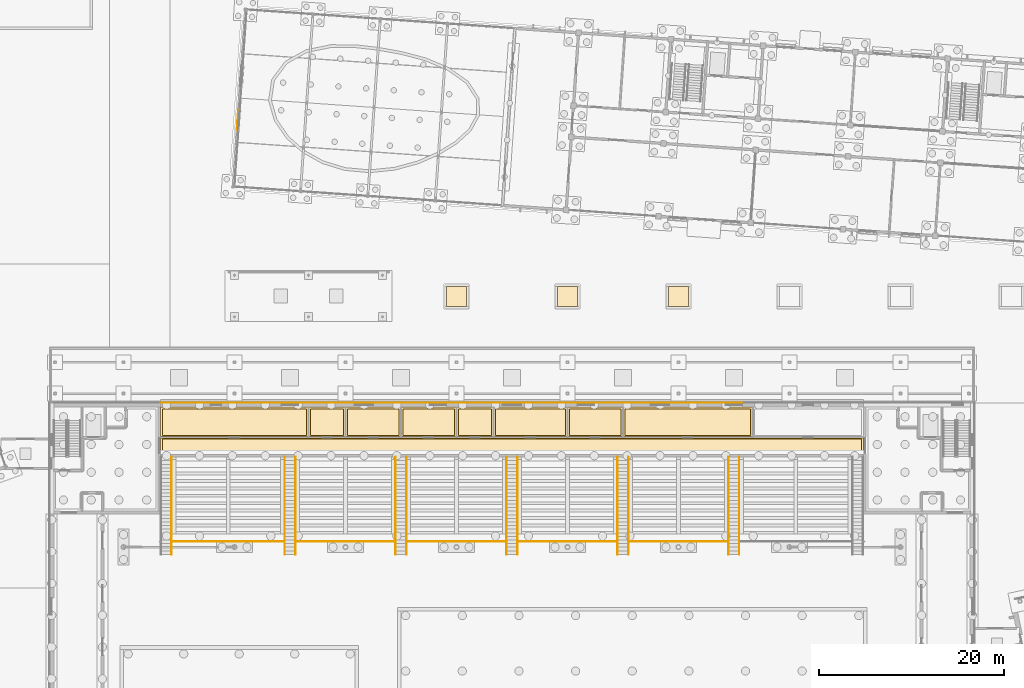
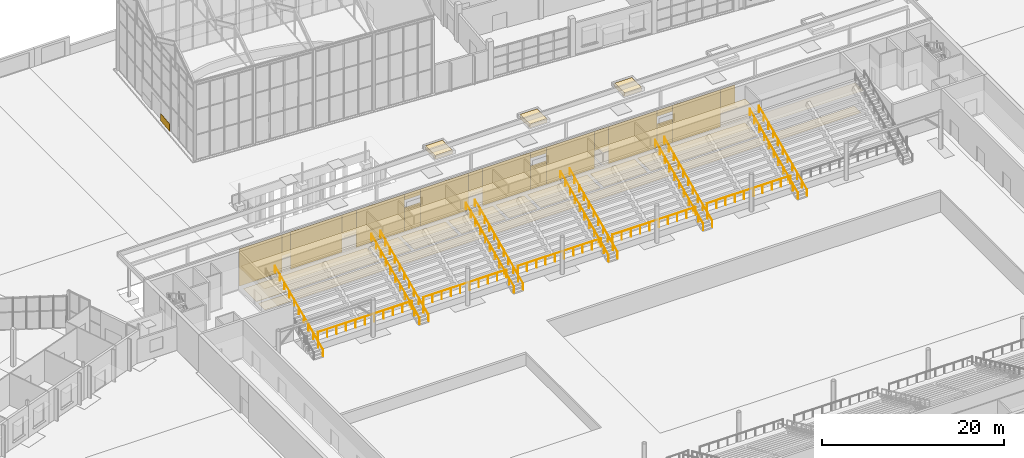
# One storey, part 138 of 157: 41 coverings, 16 railings.
"""IFC4 building model written with IfcOpenShell, lengths in metres."""

from ifc_helpers import new_model, si_unit, direction, frame, origin, origin_2d, place, context, subcontext, project, spatial, polyline, circle, outline, extrude, material, layer, layer_set, type_object, element, save


model = new_model("IFC4")

# Units and contexts
model_context = context("Model", 3, precision=1e-05, world=origin(), true_north=direction((0.0, 1.0)))
body_context = subcontext(model_context, "Body", "Model", "MODEL_VIEW")
ifc_project = project(units=[si_unit("LENGTHUNIT", "METRE"), si_unit("AREAUNIT", "SQUARE_METRE"), si_unit("VOLUMEUNIT", "CUBIC_METRE"), si_unit("PLANEANGLEUNIT", "RADIAN"), si_unit("MASSUNIT", "GRAM", prefix="KILO")], contexts=[model_context])

# Site, building, storey
site_placement = place(None, origin())
site = spatial("IfcSite", under=ifc_project, at=site_placement, CompositionType="ELEMENT")
building_placement = place(site_placement, origin())
building = spatial("IfcBuilding", under=site, at=building_placement, Name="Windward Yard Aquatics Centre", CompositionType="ELEMENT")
storey_placement = place(building_placement, origin())
storey = spatial("IfcBuildingStorey", under=building, at=storey_placement, Name="L00", CompositionType="ELEMENT", Elevation=0.0)

# Coverings
ifc_material_1 = material(Name="Polished screed")
ifc_layer_1 = layer(ifc_material_1, 0.0400390625)
ifc_layer_set_1 = layer_set([ifc_layer_1], Name="H Floor Finish Screed 40")
covering_type_1 = type_object("IfcCoveringType", Name="H Floor Finish Screed 40", PredefinedType="FLOORING", material=ifc_layer_set_1)
covering_1_placement = place(storey_placement, origin())
element("IfcCovering", 1, at=covering_1_placement, inside=storey, type_object=covering_type_1, Name="Ticketing and Security Office floor finish", PredefinedType="FLOORING", context=body_context, shape_type="SweptSolid", body=[
    extrude(outline(polyline([(100.199951171875, 92.47998046875), (100.199951171875, 95.35009765625), (107.800048828125, 95.35009765625), (107.800048828125, 92.47998046875), (100.199951171875, 92.47998046875)])), origin(), (0.0, 0.0, 1.0), 0.02001953125),
])
covering_2_placement = place(storey_placement, origin())
element("IfcCovering", 2, at=covering_2_placement, inside=storey, type_object=covering_type_1, Name="Cleaner's Store floor finish", PredefinedType="FLOORING", context=body_context, shape_type="SweptSolid", body=[
    extrude(outline(polyline([(108.199951171875, 92.47998046875), (108.199951171875, 95.35009765625), (113.800048828125, 95.35009765625), (113.800048828125, 92.47998046875), (108.199951171875, 92.47998046875)])), origin(), (0.0, 0.0, 1.0), 0.02001953125),
])
covering_3_placement = place(storey_placement, origin())
element("IfcCovering", 3, at=covering_3_placement, inside=storey, type_object=covering_type_1, Name="Pool Equipment Store floor finish", PredefinedType="FLOORING", context=body_context, shape_type="SweptSolid", body=[
    extrude(outline(polyline([(114.199951171875, 92.47998046875), (114.199951171875, 95.35009765625), (127.800048828125, 95.35009765625), (127.800048828125, 92.47998046875), (114.199951171875, 92.47998046875)])), origin(), (0.0, 0.0, 1.0), 0.02001953125),
])
covering_4_placement = place(storey_placement, origin())
element("IfcCovering", 4, at=covering_4_placement, inside=storey, type_object=covering_type_1, Name="Plinth Corridor North floor finish", PredefinedType="FLOORING", context=body_context, shape_type="SweptSolid", body=[
    extrude(outline(polyline([(64.199951171875, 90.640380859375), (64.199951171875, 92.080078125), (139.800048828125, 92.080078125), (139.800048828125, 90.640380859375), (64.199951171875, 90.640380859375)])), origin(), (0.0, 0.0, 1.0), 0.02001953125),
])
ifc_material_2 = material(Name="Ceramic tile")
ifc_layer_2 = layer(ifc_material_2, 0.02001953125)
ifc_layer_set_2 = layer_set([ifc_layer_2], Name="H Floor Finish Tile 20")
covering_type_2 = type_object("IfcCoveringType", Name="H Floor Finish Tile 20", PredefinedType="FLOORING", material=ifc_layer_set_2)
covering_5_placement = place(storey_placement, origin())
element("IfcCovering", 5, at=covering_5_placement, inside=storey, type_object=covering_type_2, Name="Team Changing Room floor finish", PredefinedType="FLOORING", context=body_context, shape_type="SweptSolid", body=[
    extrude(outline(polyline([(64.199951171875, 92.47998046875), (64.199951171875, 95.35009765625), (79.800048828125, 95.35009765625), (79.800048828125, 92.47998046875), (64.199951171875, 92.47998046875)])), origin(), (0.0, 0.0, 1.0), 0.02001953125),
])
covering_6_placement = place(storey_placement, origin())
element("IfcCovering", 6, at=covering_6_placement, inside=storey, type_object=covering_type_2, Name="Team Shower Room floor finish", PredefinedType="FLOORING", context=body_context, shape_type="SweptSolid", body=[
    extrude(outline(polyline([(80.199951171875, 92.47998046875), (80.199951171875, 95.35009765625), (83.800048828125, 95.35009765625), (83.800048828125, 92.47998046875), (80.199951171875, 92.47998046875)])), origin(), (0.0, 0.0, 1.0), 0.02001953125),
])
covering_7_placement = place(storey_placement, origin())
element("IfcCovering", 7, at=covering_7_placement, inside=storey, type_object=covering_type_2, Name="Spectator WC Men floor finish", PredefinedType="FLOORING", context=body_context, shape_type="SweptSolid", body=[
    extrude(outline(polyline([(84.199951171875, 92.47998046875), (84.199951171875, 95.35009765625), (89.800048828125, 95.35009765625), (89.800048828125, 92.47998046875), (84.199951171875, 92.47998046875)])), origin(), (0.0, 0.0, 1.0), 0.02001953125),
])
covering_8_placement = place(storey_placement, origin())
element("IfcCovering", 8, at=covering_8_placement, inside=storey, type_object=covering_type_2, Name="Spectator WC Women floor finish", PredefinedType="FLOORING", context=body_context, shape_type="SweptSolid", body=[
    extrude(outline(polyline([(90.199951171875, 92.47998046875), (90.199951171875, 95.35009765625), (95.800048828125, 95.35009765625), (95.800048828125, 92.47998046875), (90.199951171875, 92.47998046875)])), origin(), (0.0, 0.0, 1.0), 0.02001953125),
])
covering_9_placement = place(storey_placement, origin())
element("IfcCovering", 9, at=covering_9_placement, inside=storey, type_object=covering_type_2, Name="Accessible WC floor finish", PredefinedType="FLOORING", context=body_context, shape_type="SweptSolid", body=[
    extrude(outline(polyline([(96.199951171875, 92.47998046875), (96.199951171875, 95.35009765625), (99.800048828125, 95.35009765625), (99.800048828125, 92.47998046875), (96.199951171875, 92.47998046875)])), origin(), (0.0, 0.0, 1.0), 0.02001953125),
])

# Railings
ifc_material_3 = material(Name="Stainless steel 1.4529", Category="steel")
railing_type_1 = type_object("IfcRailingType", Name="H Guard Steel 1100", PredefinedType="GUARDRAIL", material=ifc_material_3)
railing_placement = place(storey_placement, frame((65.35009765625, 81.0, 1.39990234375)))
element("IfcRailing", 10, at=railing_placement, inside=storey, type_object=railing_type_1, Name="Stand front barrier N2", PredefinedType="GUARDRAIL", context=body_context, shape_type="SweptSolid", body=[
    extrude(circle(Radius=0.02392578125, at=origin_2d()), frame((0.0, 0.0, 1.076171875), z_axis=(1.0, 0.0, 0.0), x_axis=(0.0, 1.0, 0.0)), (0.0, 0.0, 1.0), 11.9248046875),
    extrude(circle(Radius=0.02099609375, at=origin_2d()), origin(), (0.0, 0.0, 1.0), 1.052001953125),
    extrude(circle(Radius=0.02099609375, at=origin_2d()), frame((1.1923828125, 0.0, 0.0)), (0.0, 0.0, 1.0), 1.052001953125),
    extrude(circle(Radius=0.02099609375, at=origin_2d()), frame((2.385009765625, 0.0, 0.0)), (0.0, 0.0, 1.0), 1.052001953125),
    extrude(circle(Radius=0.02099609375, at=origin_2d()), frame((3.577392578125, 0.0, 0.0)), (0.0, 0.0, 1.0), 1.052001953125),
    extrude(circle(Radius=0.02099609375, at=origin_2d()), frame((4.77001953125, 0.0, 0.0)), (0.0, 0.0, 1.0), 1.052001953125),
    extrude(circle(Radius=0.02099609375, at=origin_2d()), frame((5.96240234375, 0.0, 0.0)), (0.0, 0.0, 1.0), 1.052001953125),
    extrude(circle(Radius=0.02099609375, at=origin_2d()), frame((7.15478515625, 0.0, 0.0)), (0.0, 0.0, 1.0), 1.052001953125),
    extrude(circle(Radius=0.02099609375, at=origin_2d()), frame((8.347412109375, 0.0, 0.0)), (0.0, 0.0, 1.0), 1.052001953125),
    extrude(circle(Radius=0.02099609375, at=origin_2d()), frame((9.539794921875, 0.0, 0.0)), (0.0, 0.0, 1.0), 1.052001953125),
    extrude(circle(Radius=0.02099609375, at=origin_2d()), frame((10.732421875, 0.0, 0.0)), (0.0, 0.0, 1.0), 1.052001953125),
    extrude(circle(Radius=0.02099609375, at=origin_2d()), frame((11.9248046875, 0.0, 0.0)), (0.0, 0.0, 1.0), 1.052001953125),
])
for number, where, name in (
    (11, (78.72509765625, 81.0, 1.39990234375), "Stand front barrier N3"),
    (12, (90.72509765625, 81.0, 1.39990234375), "Stand front barrier N4"),
    (13, (102.72509765625, 81.0, 1.39990234375), "Stand front barrier N5"),
    (14, (114.72509765625, 81.0, 1.39990234375), "Stand front barrier N6"),
):
    element("IfcRailing", number, at=place(storey_placement, frame(where)), inside=storey, type_object=railing_type_1, Name=name, PredefinedType="GUARDRAIL", context=body_context, shape_type="SweptSolid", body=[
        extrude(circle(Radius=0.02392578125, at=origin_2d()), frame((0.0, 0.0, 1.076171875), z_axis=(1.0, 0.0, 0.0), x_axis=(0.0, 1.0, 0.0)), (0.0, 0.0, 1.0), 10.5498046875),
        extrude(circle(Radius=0.02099609375, at=origin_2d()), origin(), (0.0, 0.0, 1.0), 1.052001953125),
        extrude(circle(Radius=0.02099609375, at=origin_2d()), frame((1.172119140625, 0.0, 0.0)), (0.0, 0.0, 1.0), 1.052001953125),
        extrude(circle(Radius=0.02099609375, at=origin_2d()), frame((2.344482421875, 0.0, 0.0)), (0.0, 0.0, 1.0), 1.052001953125),
        extrude(circle(Radius=0.02099609375, at=origin_2d()), frame((3.5166015625, 0.0, 0.0)), (0.0, 0.0, 1.0), 1.052001953125),
        extrude(circle(Radius=0.02099609375, at=origin_2d()), frame((4.688720703125, 0.0, 0.0)), (0.0, 0.0, 1.0), 1.052001953125),
        extrude(circle(Radius=0.02099609375, at=origin_2d()), frame((5.861083984375, 0.0, 0.0)), (0.0, 0.0, 1.0), 1.052001953125),
        extrude(circle(Radius=0.02099609375, at=origin_2d()), frame((7.033203125, 0.0, 0.0)), (0.0, 0.0, 1.0), 1.052001953125),
        extrude(circle(Radius=0.02099609375, at=origin_2d()), frame((8.205322265625, 0.0, 0.0)), (0.0, 0.0, 1.0), 1.052001953125),
        extrude(circle(Radius=0.02099609375, at=origin_2d()), frame((9.377685546875, 0.0, 0.0)), (0.0, 0.0, 1.0), 1.052001953125),
        extrude(circle(Radius=0.02099609375, at=origin_2d()), frame((10.5498046875, 0.0, 0.0)), (0.0, 0.0, 1.0), 1.052001953125),
    ])
railing_type_2 = type_object("IfcRailingType", Name="H Handrail Steel 900", PredefinedType="HANDRAIL", material=ifc_material_3)
for number, where, name in (
    (15, (65.199951171875, 79.6103515625, 0.1787109375), "Vomitory stair N1 handrail 2"),
    (16, (77.425048828125, 79.6103515625, 0.1787109375), "Vomitory stair N2 handrail 1"),
    (17, (78.574951171875, 79.6103515625, 0.1787109375), "Vomitory stair N2 handrail 2"),
    (18, (89.425048828125, 79.6103515625, 0.1787109375), "Vomitory stair N3 handrail 1"),
    (19, (90.574951171875, 79.6103515625, 0.1787109375), "Vomitory stair N3 handrail 2"),
    (20, (101.425048828125, 79.6103515625, 0.1787109375), "Vomitory stair N4 handrail 1"),
    (21, (102.574951171875, 79.6103515625, 0.1787109375), "Vomitory stair N4 handrail 2"),
    (22, (113.425048828125, 79.6103515625, 0.1787109375), "Vomitory stair N5 handrail 1"),
    (23, (114.574951171875, 79.6103515625, 0.1787109375), "Vomitory stair N5 handrail 2"),
    (24, (125.425048828125, 79.6103515625, 0.1787109375), "Vomitory stair N6 handrail 1"),
    (25, (126.574951171875, 79.6103515625, 0.1787109375), "Vomitory stair N6 handrail 2"),
):
    element("IfcRailing", number, at=place(storey_placement, frame(where)), inside=storey, type_object=railing_type_2, Name=name, PredefinedType="HANDRAIL", context=body_context, shape_type="SweptSolid", body=[
        extrude(circle(Radius=0.02392578125, at=origin_2d()), frame((0.0, 0.0, 0.8759765625), z_axis=(0.0, 0.909227440193, 0.416299726158), x_axis=(-1.0, 0.0, 0.0)), (0.0, 0.0, 1.0), 11.581298828125),
        extrude(circle(Radius=0.02099609375, at=origin_2d()), origin(), (0.0, 0.0, 1.0), 0.851806640625),
        extrude(circle(Radius=0.02099609375, at=origin_2d()), frame((0.0, 1.052978515625, 0.482177734375)), (0.0, 0.0, 1.0), 0.851806640625),
        extrude(circle(Radius=0.02099609375, at=origin_2d()), frame((0.0, 2.10595703125, 0.96435546875)), (0.0, 0.0, 1.0), 0.851806640625),
        extrude(circle(Radius=0.02099609375, at=origin_2d()), frame((0.0, 3.158935546875, 1.4462890625)), (0.0, 0.0, 1.0), 0.851806640625),
        extrude(circle(Radius=0.02099609375, at=origin_2d()), frame((0.0, 4.2119140625, 1.928466796875)), (0.0, 0.0, 1.0), 0.851806640625),
        extrude(circle(Radius=0.02099609375, at=origin_2d()), frame((0.0, 5.26513671875, 2.41064453125)), (0.0, 0.0, 1.0), 0.851806640625),
        extrude(circle(Radius=0.02099609375, at=origin_2d()), frame((0.0, 6.318115234375, 2.892822265625)), (0.0, 0.0, 1.0), 0.851806640625),
        extrude(circle(Radius=0.02099609375, at=origin_2d()), frame((0.0, 7.37109375, 3.375)), (0.0, 0.0, 1.0), 0.851806640625),
        extrude(circle(Radius=0.02099609375, at=origin_2d()), frame((0.0, 8.424072265625, 3.85693359375)), (0.0, 0.0, 1.0), 0.851806640625),
        extrude(circle(Radius=0.02099609375, at=origin_2d()), frame((0.0, 9.47705078125, 4.339111328125)), (0.0, 0.0, 1.0), 0.851806640625),
        extrude(circle(Radius=0.02099609375, at=origin_2d()), frame((0.0, 10.530029296875, 4.8212890625)), (0.0, 0.0, 1.0), 0.851806640625),
    ])

# Coverings
ifc_material_4 = material(Name="Aluminium plank", Category="aluminium")
ifc_layer_3 = layer(ifc_material_4, 0.02001953125)
ifc_layer_set_3 = layer_set([ifc_layer_3], Name="H Moisture Resistant Ceiling")
covering_type_3 = type_object("IfcCoveringType", Name="H Moisture Resistant Ceiling", PredefinedType="CEILING", material=ifc_layer_set_3)
covering_10_placement = place(storey_placement, frame((0.0, 0.0, 3.0)))
element("IfcCovering", 26, at=covering_10_placement, inside=storey, type_object=covering_type_3, Name="Team Changing Room ceiling", PredefinedType="CEILING", context=body_context, shape_type="SweptSolid", body=[
    extrude(outline(polyline([(64.00048828125, 92.35546875), (64.00048828125, 95.549560546875), (79.924560546875, 95.549560546875), (79.924560546875, 92.35546875), (64.00048828125, 92.35546875)])), origin(), (0.0, 0.0, 1.0), 0.02001953125),
])
covering_11_placement = place(storey_placement, frame((0.0, 0.0, 3.0)))
element("IfcCovering", 27, at=covering_11_placement, inside=storey, type_object=covering_type_3, Name="Team Shower Room ceiling", PredefinedType="CEILING", context=body_context, shape_type="SweptSolid", body=[
    extrude(outline(polyline([(80.075439453125, 92.35546875), (80.075439453125, 95.549560546875), (83.924560546875, 95.549560546875), (83.924560546875, 92.35546875), (80.075439453125, 92.35546875)])), origin(), (0.0, 0.0, 1.0), 0.02001953125),
])
covering_12_placement = place(storey_placement, frame((0.0, 0.0, 3.0)))
element("IfcCovering", 28, at=covering_12_placement, inside=storey, type_object=covering_type_3, Name="Spectator WC Men ceiling", PredefinedType="CEILING", context=body_context, shape_type="SweptSolid", body=[
    extrude(outline(polyline([(84.075439453125, 92.35546875), (84.075439453125, 95.549560546875), (89.924560546875, 95.549560546875), (89.924560546875, 92.35546875), (84.075439453125, 92.35546875)])), origin(), (0.0, 0.0, 1.0), 0.02001953125),
])
covering_13_placement = place(storey_placement, frame((0.0, 0.0, 3.0)))
element("IfcCovering", 29, at=covering_13_placement, inside=storey, type_object=covering_type_3, Name="Spectator WC Women ceiling", PredefinedType="CEILING", context=body_context, shape_type="SweptSolid", body=[
    extrude(outline(polyline([(90.075439453125, 92.35546875), (90.075439453125, 95.549560546875), (95.924560546875, 95.549560546875), (95.924560546875, 92.35546875), (90.075439453125, 92.35546875)])), origin(), (0.0, 0.0, 1.0), 0.02001953125),
])
covering_14_placement = place(storey_placement, frame((0.0, 0.0, 3.0)))
element("IfcCovering", 30, at=covering_14_placement, inside=storey, type_object=covering_type_3, Name="Accessible WC ceiling", PredefinedType="CEILING", context=body_context, shape_type="SweptSolid", body=[
    extrude(outline(polyline([(96.075439453125, 92.35546875), (96.075439453125, 95.549560546875), (99.924560546875, 95.549560546875), (99.924560546875, 92.35546875), (96.075439453125, 92.35546875)])), origin(), (0.0, 0.0, 1.0), 0.02001953125),
])
ifc_material_5 = material(Name="Mineral fibre tile")
ifc_layer_4 = layer(ifc_material_5, 0.02001953125)
ifc_layer_set_4 = layer_set([ifc_layer_4], Name="H Suspended Ceiling 600 x 600")
covering_type_4 = type_object("IfcCoveringType", Name="H Suspended Ceiling 600 x 600", PredefinedType="CEILING", material=ifc_layer_set_4)
covering_15_placement = place(storey_placement, frame((0.0, 0.0, 3.0)))
element("IfcCovering", 31, at=covering_15_placement, inside=storey, type_object=covering_type_4, Name="Ticketing and Security Office ceiling", PredefinedType="CEILING", context=body_context, shape_type="SweptSolid", body=[
    extrude(outline(polyline([(100.075439453125, 92.35546875), (100.075439453125, 95.549560546875), (107.924560546875, 95.549560546875), (107.924560546875, 92.35546875), (100.075439453125, 92.35546875)])), origin(), (0.0, 0.0, 1.0), 0.02001953125),
])
covering_16_placement = place(storey_placement, frame((0.0, 0.0, 3.0)))
element("IfcCovering", 32, at=covering_16_placement, inside=storey, type_object=covering_type_4, Name="Cleaner's Store ceiling", PredefinedType="CEILING", context=body_context, shape_type="SweptSolid", body=[
    extrude(outline(polyline([(108.075439453125, 92.35546875), (108.075439453125, 95.549560546875), (113.924560546875, 95.549560546875), (113.924560546875, 92.35546875), (108.075439453125, 92.35546875)])), origin(), (0.0, 0.0, 1.0), 0.02001953125),
])
covering_17_placement = place(storey_placement, frame((0.0, 0.0, 3.0)))
element("IfcCovering", 33, at=covering_17_placement, inside=storey, type_object=covering_type_4, Name="Pool Equipment Store ceiling", PredefinedType="CEILING", context=body_context, shape_type="SweptSolid", body=[
    extrude(outline(polyline([(114.075439453125, 92.35546875), (114.075439453125, 95.549560546875), (127.924560546875, 95.549560546875), (127.924560546875, 92.35546875), (114.075439453125, 92.35546875)])), origin(), (0.0, 0.0, 1.0), 0.02001953125),
])
covering_18_placement = place(storey_placement, frame((0.0, 0.0, 3.0)))
element("IfcCovering", 34, at=covering_18_placement, inside=storey, type_object=covering_type_4, Name="Plinth Corridor North ceiling", PredefinedType="CEILING", context=body_context, shape_type="SweptSolid", body=[
    extrude(outline(polyline([(64.00048828125, 90.44091796875), (64.00048828125, 92.20458984375), (139.99951171875, 92.20458984375), (139.99951171875, 90.44091796875), (64.00048828125, 90.44091796875)])), origin(), (0.0, 0.0, 1.0), 0.02001953125),
])
ifc_material_6 = material(Name="Natural limestone cladding", Category="masonry")
ifc_layer_5 = layer(ifc_material_6, 0.0400390625)
ifc_layer_set_5 = layer_set([ifc_layer_5], Name="H natural stone cladding 40")
covering_type_5 = type_object("IfcCoveringType", Name="H natural stone cladding 40", PredefinedType="CLADDING", material=ifc_layer_set_5)
covering_19_placement = place(storey_placement, origin())
element("IfcCovering", 35, at=covering_19_placement, inside=storey, type_object=covering_type_5, Name="Stone cladding panel 166", PredefinedType="CLADDING", context=body_context, shape_type="SweptSolid", body=[
    extrude(outline(polyline([(64.0, 96.0), (69.449951171875, 96.0), (69.449951171875, 96.0400390625), (64.0, 96.0400390625), (64.0, 96.0)])), origin(), (0.0, 0.0, 1.0), 5.0),
])
covering_20_placement = place(storey_placement, frame((0.0, 0.0, 2.199951171875)))
element("IfcCovering", 36, at=covering_20_placement, inside=storey, type_object=covering_type_5, Name="Stone cladding panel 167", PredefinedType="CLADDING", context=body_context, shape_type="SweptSolid", body=[
    extrude(outline(polyline([(69.449951171875, 96.0), (70.550048828125, 96.0), (70.550048828125, 96.0400390625), (69.449951171875, 96.0400390625), (69.449951171875, 96.0)])), origin(), (0.0, 0.0, 1.0), 2.800048828125),
])
covering_21_placement = place(storey_placement, origin())
element("IfcCovering", 37, at=covering_21_placement, inside=storey, type_object=covering_type_5, Name="Stone cladding panel 168", PredefinedType="CLADDING", context=body_context, shape_type="SweptSolid", body=[
    extrude(outline(polyline([(70.550048828125, 96.0), (77.10009765625, 96.0), (77.10009765625, 96.0400390625), (70.550048828125, 96.0400390625), (70.550048828125, 96.0)])), origin(), (0.0, 0.0, 1.0), 5.0),
])
covering_22_placement = place(storey_placement, frame((0.0, 0.0, 2.39990234375)))
element("IfcCovering", 38, at=covering_22_placement, inside=storey, type_object=covering_type_5, Name="Stone cladding panel 169", PredefinedType="CLADDING", context=body_context, shape_type="SweptSolid", body=[
    extrude(outline(polyline([(77.10009765625, 96.0), (78.89990234375, 96.0), (78.89990234375, 96.0400390625), (77.10009765625, 96.0400390625), (77.10009765625, 96.0)])), origin(), (0.0, 0.0, 1.0), 2.60009765625),
])
covering_23_placement = place(storey_placement, origin())
element("IfcCovering", 39, at=covering_23_placement, inside=storey, type_object=covering_type_5, Name="Stone cladding panel 170", PredefinedType="CLADDING", context=body_context, shape_type="SweptSolid", body=[
    extrude(outline(polyline([(78.89990234375, 96.0), (85.0, 96.0), (85.0, 96.0400390625), (78.89990234375, 96.0400390625), (78.89990234375, 96.0)])), origin(), (0.0, 0.0, 1.0), 5.0),
])
covering_24_placement = place(storey_placement, origin())
element("IfcCovering", 40, at=covering_24_placement, inside=storey, type_object=covering_type_5, Name="Stone cladding panel 171", PredefinedType="CLADDING", context=body_context, shape_type="SweptSolid", body=[
    extrude(outline(polyline([(85.0, 96.0), (87.0, 96.0), (87.0, 96.0400390625), (85.0, 96.0400390625), (85.0, 96.0)])), origin(), (0.0, 0.0, 1.0), 3.199951171875),
])
covering_25_placement = place(storey_placement, frame((0.0, 0.0, 4.199951171875)))
element("IfcCovering", 41, at=covering_25_placement, inside=storey, type_object=covering_type_5, Name="Stone cladding panel 172", PredefinedType="CLADDING", context=body_context, shape_type="SweptSolid", body=[
    extrude(outline(polyline([(85.0, 96.0), (87.0, 96.0), (87.0, 96.0400390625), (85.0, 96.0400390625), (85.0, 96.0)])), origin(), (0.0, 0.0, 1.0), 0.800048828125),
])
covering_26_placement = place(storey_placement, origin())
element("IfcCovering", 42, at=covering_26_placement, inside=storey, type_object=covering_type_5, Name="Stone cladding panel 173", PredefinedType="CLADDING", context=body_context, shape_type="SweptSolid", body=[
    extrude(outline(polyline([(87.0, 96.0), (93.10009765625, 96.0), (93.10009765625, 96.0400390625), (87.0, 96.0400390625), (87.0, 96.0)])), origin(), (0.0, 0.0, 1.0), 5.0),
])
covering_27_placement = place(storey_placement, frame((0.0, 0.0, 2.39990234375)))
element("IfcCovering", 43, at=covering_27_placement, inside=storey, type_object=covering_type_5, Name="Stone cladding panel 174", PredefinedType="CLADDING", context=body_context, shape_type="SweptSolid", body=[
    extrude(outline(polyline([(93.10009765625, 96.0), (94.89990234375, 96.0), (94.89990234375, 96.0400390625), (93.10009765625, 96.0400390625), (93.10009765625, 96.0)])), origin(), (0.0, 0.0, 1.0), 2.60009765625),
])
covering_28_placement = place(storey_placement, origin())
element("IfcCovering", 44, at=covering_28_placement, inside=storey, type_object=covering_type_5, Name="Stone cladding panel 175", PredefinedType="CLADDING", context=body_context, shape_type="SweptSolid", body=[
    extrude(outline(polyline([(94.89990234375, 96.0), (101.0, 96.0), (101.0, 96.0400390625), (94.89990234375, 96.0400390625), (94.89990234375, 96.0)])), origin(), (0.0, 0.0, 1.0), 5.0),
])
covering_29_placement = place(storey_placement, origin())
element("IfcCovering", 45, at=covering_29_placement, inside=storey, type_object=covering_type_5, Name="Stone cladding panel 176", PredefinedType="CLADDING", context=body_context, shape_type="SweptSolid", body=[
    extrude(outline(polyline([(101.0, 96.0), (103.0, 96.0), (103.0, 96.0400390625), (101.0, 96.0400390625), (101.0, 96.0)])), origin(), (0.0, 0.0, 1.0), 3.199951171875),
])
covering_30_placement = place(storey_placement, frame((0.0, 0.0, 4.199951171875)))
element("IfcCovering", 46, at=covering_30_placement, inside=storey, type_object=covering_type_5, Name="Stone cladding panel 177", PredefinedType="CLADDING", context=body_context, shape_type="SweptSolid", body=[
    extrude(outline(polyline([(101.0, 96.0), (103.0, 96.0), (103.0, 96.0400390625), (101.0, 96.0400390625), (101.0, 96.0)])), origin(), (0.0, 0.0, 1.0), 0.800048828125),
])
covering_31_placement = place(storey_placement, origin())
element("IfcCovering", 47, at=covering_31_placement, inside=storey, type_object=covering_type_5, Name="Stone cladding panel 178", PredefinedType="CLADDING", context=body_context, shape_type="SweptSolid", body=[
    extrude(outline(polyline([(103.0, 96.0), (109.10009765625, 96.0), (109.10009765625, 96.0400390625), (103.0, 96.0400390625), (103.0, 96.0)])), origin(), (0.0, 0.0, 1.0), 5.0),
])
covering_32_placement = place(storey_placement, frame((0.0, 0.0, 2.39990234375)))
element("IfcCovering", 48, at=covering_32_placement, inside=storey, type_object=covering_type_5, Name="Stone cladding panel 179", PredefinedType="CLADDING", context=body_context, shape_type="SweptSolid", body=[
    extrude(outline(polyline([(109.10009765625, 96.0), (110.89990234375, 96.0), (110.89990234375, 96.0400390625), (109.10009765625, 96.0400390625), (109.10009765625, 96.0)])), origin(), (0.0, 0.0, 1.0), 2.60009765625),
])
covering_33_placement = place(storey_placement, origin())
element("IfcCovering", 49, at=covering_33_placement, inside=storey, type_object=covering_type_5, Name="Stone cladding panel 180", PredefinedType="CLADDING", context=body_context, shape_type="SweptSolid", body=[
    extrude(outline(polyline([(110.89990234375, 96.0), (117.0, 96.0), (117.0, 96.0400390625), (110.89990234375, 96.0400390625), (110.89990234375, 96.0)])), origin(), (0.0, 0.0, 1.0), 5.0),
])
covering_34_placement = place(storey_placement, origin())
element("IfcCovering", 50, at=covering_34_placement, inside=storey, type_object=covering_type_5, Name="Stone cladding panel 181", PredefinedType="CLADDING", context=body_context, shape_type="SweptSolid", body=[
    extrude(outline(polyline([(117.0, 96.0), (119.0, 96.0), (119.0, 96.0400390625), (117.0, 96.0400390625), (117.0, 96.0)])), origin(), (0.0, 0.0, 1.0), 3.199951171875),
])
covering_35_placement = place(storey_placement, frame((0.0, 0.0, 4.199951171875)))
element("IfcCovering", 51, at=covering_35_placement, inside=storey, type_object=covering_type_5, Name="Stone cladding panel 182", PredefinedType="CLADDING", context=body_context, shape_type="SweptSolid", body=[
    extrude(outline(polyline([(117.0, 96.0), (119.0, 96.0), (119.0, 96.0400390625), (117.0, 96.0400390625), (117.0, 96.0)])), origin(), (0.0, 0.0, 1.0), 0.800048828125),
])
covering_36_placement = place(storey_placement, origin())
element("IfcCovering", 52, at=covering_36_placement, inside=storey, type_object=covering_type_5, Name="Stone cladding panel 183", PredefinedType="CLADDING", context=body_context, shape_type="SweptSolid", body=[
    extrude(outline(polyline([(119.0, 96.0), (125.10009765625, 96.0), (125.10009765625, 96.0400390625), (119.0, 96.0400390625), (119.0, 96.0)])), origin(), (0.0, 0.0, 1.0), 5.0),
])
covering_37_placement = place(storey_placement, frame((0.0, 0.0, 2.39990234375)))
element("IfcCovering", 53, at=covering_37_placement, inside=storey, type_object=covering_type_5, Name="Stone cladding panel 184", PredefinedType="CLADDING", context=body_context, shape_type="SweptSolid", body=[
    extrude(outline(polyline([(125.10009765625, 96.0), (126.89990234375, 96.0), (126.89990234375, 96.0400390625), (125.10009765625, 96.0400390625), (125.10009765625, 96.0)])), origin(), (0.0, 0.0, 1.0), 2.60009765625),
])
ifc_material_7 = material(Name="Limestone cladding on stainless steel brackets", Category="masonry")
ifc_layer_6 = layer(ifc_material_7, 0.0400390625)
ifc_layer_set_6 = layer_set([ifc_layer_6], Name="W stone plinth cladding 40")
covering_type_6 = type_object("IfcCoveringType", Name="W stone plinth cladding 40", PredefinedType="CLADDING", material=ifc_layer_set_6)
covering_38_placement = place(storey_placement, origin())
element("IfcCovering", 54, at=covering_38_placement, inside=storey, type_object=covering_type_6, Name="Plinth cladding panel 29", PredefinedType="CLADDING", context=body_context, shape_type="SweptSolid", body=[
    extrude(outline(polyline([(72.23876953125, 125.47119140625), (72.27880859375, 125.46826171875), (72.439208984375, 127.7626953125), (72.399169921875, 127.765380859375), (72.23876953125, 125.47119140625)])), origin(), (0.0, 0.0, 1.0), 0.97998046875),
])
ifc_material_8 = material(Name="Planting soil")
ifc_layer_7 = layer(ifc_material_8, 0.448, Name="Planting")
ifc_material_9 = material(Name="Filter fabric")
ifc_layer_8 = layer(ifc_material_9, 0.002, Name="Filter")
ifc_material_10 = material(Name="Drainage board")
ifc_layer_9 = layer(ifc_material_10, 0.05, Name="Drainage")
ifc_layer_set_7 = layer_set([ifc_layer_7, ifc_layer_8, ifc_layer_9], Name="X Planting Bed Soil 400")
covering_type_7 = type_object("IfcCoveringType", Name="X Planting Bed Soil 400", PredefinedType="USERDEFINED", material=ifc_layer_set_7)
covering_39_placement = place(storey_placement, frame((0.0, 0.0, -0.10009765625)))
element("IfcCovering", 55, at=covering_39_placement, inside=storey, type_object=covering_type_7, Name="Tree well", ObjectType="PLANTING BED", PredefinedType="USERDEFINED", context=body_context, shape_type="SweptSolid", body=[
    extrude(outline(polyline([(94.925048828125, 106.425048828125), (97.074951171875, 106.425048828125), (97.074951171875, 108.574951171875), (94.925048828125, 108.574951171875), (94.925048828125, 106.425048828125)])), origin(), (0.0, 0.0, 1.0), 0.5),
])
covering_40_placement = place(storey_placement, frame((0.0, 0.0, -0.10009765625)))
element("IfcCovering", 56, at=covering_40_placement, inside=storey, type_object=covering_type_7, Name="Tree well", ObjectType="PLANTING BED", PredefinedType="USERDEFINED", context=body_context, shape_type="SweptSolid", body=[
    extrude(outline(polyline([(106.925048828125, 106.425048828125), (109.074951171875, 106.425048828125), (109.074951171875, 108.574951171875), (106.925048828125, 108.574951171875), (106.925048828125, 106.425048828125)])), origin(), (0.0, 0.0, 1.0), 0.5),
])
covering_41_placement = place(storey_placement, frame((0.0, 0.0, -0.10009765625)))
element("IfcCovering", 57, at=covering_41_placement, inside=storey, type_object=covering_type_7, Name="Tree well", ObjectType="PLANTING BED", PredefinedType="USERDEFINED", context=body_context, shape_type="SweptSolid", body=[
    extrude(outline(polyline([(118.925048828125, 106.425048828125), (121.074951171875, 106.425048828125), (121.074951171875, 108.574951171875), (118.925048828125, 108.574951171875), (118.925048828125, 106.425048828125)])), origin(), (0.0, 0.0, 1.0), 0.5),
])

save(model, "model.ifc")
